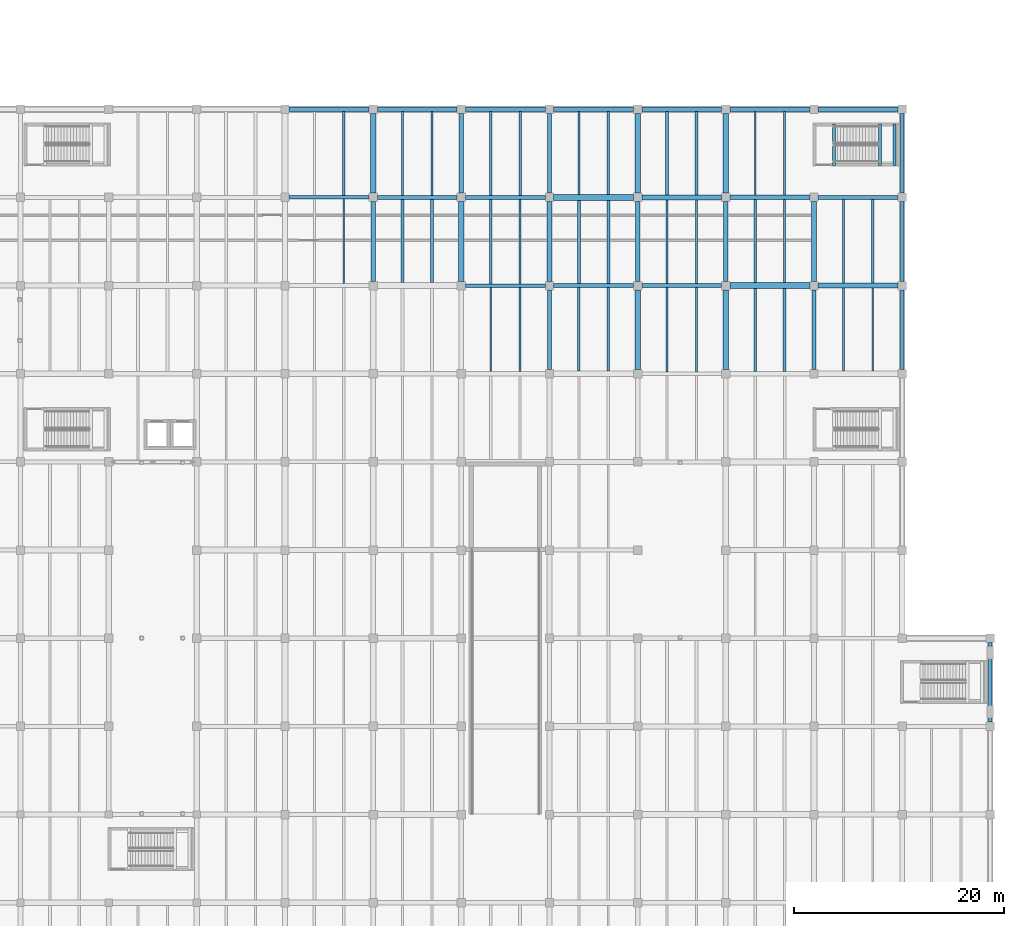
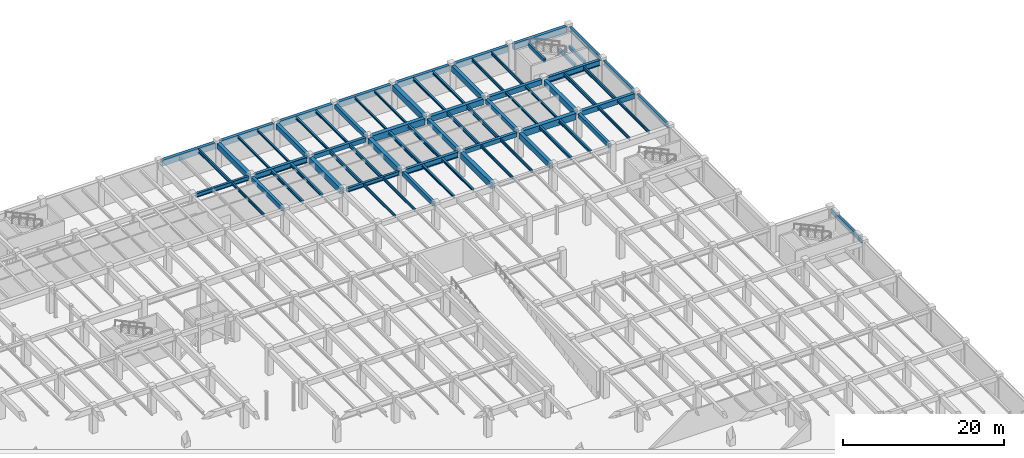
# One storey, part 26 of 63: 75 beams.
"""IFC4 building model written with IfcOpenShell, lengths in metres."""

from ifc_helpers import new_model, si_unit, direction, frame, origin, origin_2d, place, context, subcontext, project, spatial, rectangle, i_section, extrude, material, material_profile, profile_set, type_object, element, save


model = new_model("IFC4")

# Units and contexts
model_context = context("Model", 3, precision=1e-05, world=origin(), true_north=direction((0.0, 1.0)))
body_context = subcontext(model_context, "Body", "Model", "MODEL_VIEW")
ifc_project = project(units=[si_unit("LENGTHUNIT", "METRE"), si_unit("AREAUNIT", "SQUARE_METRE"), si_unit("VOLUMEUNIT", "CUBIC_METRE"), si_unit("PLANEANGLEUNIT", "RADIAN"), si_unit("MASSUNIT", "GRAM", prefix="KILO")], contexts=[model_context])

# Site, building, storey
site_placement = place(None, origin())
site = spatial("IfcSite", under=ifc_project, at=site_placement, CompositionType="ELEMENT")
building_placement = place(site_placement, origin())
building = spatial("IfcBuilding", under=site, at=building_placement, Name="Cumbredor Promenade Congress Hotel", CompositionType="ELEMENT")
storey_placement = place(building_placement, frame((0.0, 0.0, -4.199951171875)))
storey = spatial("IfcBuildingStorey", under=building, at=storey_placement, Name="B01", CompositionType="ELEMENT", Elevation=-4.199951171875)

# Beams
ifc_material_1 = material(Name="Concrete C40/50", Category="concrete")
ifc_material_profile_1 = material_profile(ifc_material_1, rectangle(XDim=0.39990234375, YDim=0.64990234375, at=origin_2d()), Name="RC BEAM 400x650")
ifc_profile_set_1 = profile_set([ifc_material_profile_1], Name="Concrete C40/50")
beam_type_1 = type_object("IfcBeamType", Name="BM-RC-400x650", PredefinedType="BEAM", material=ifc_profile_set_1)
beam_1_placement = place(storey_placement, frame((126.0, 101.199951171875, 3.52490234375), z_axis=(0.0, 1.0, 0.0), x_axis=(-1.0, 0.0, 0.0)))
element("IfcBeam", 1, at=beam_1_placement, inside=storey, type_object=beam_type_1, Name="L00 Y-Grid Beam 379", PredefinedType="BEAM", context=body_context, shape_type="SweptSolid", body=[
    extrude(rectangle(XDim=0.39990234375, YDim=0.64990234375, at=origin_2d()), origin(), (0.0, 0.0, 1.0), 7.60009765625),
])
for number, where, z_axis, x_axis, name in (
    (2, (134.800048828125, 109.199951171875, 3.52490234375), (1.0, 0.0, 0.0), (0.0, 1.0, 0.0), "L00 X-Grid Beam 403"),
    (3, (142.800048828125, 92.800048828125, 3.52490234375), (0.0, 1.0, 0.0), (-1.0, 0.0, 0.0), "L00 Y-Grid Beam 427"),
    (4, (142.800048828125, 109.60009765625, 3.52490234375), (0.0, 1.0, 0.0), (-1.0, 0.0, 0.0), "L00 Y-Grid Beam 431"),
    (5, (151.60009765625, 100.800048828125, 3.52490234375), (1.0, 0.0, 0.0), (0.0, 1.0, 0.0), "L00 X-Grid Beam 451"),
):
    element("IfcBeam", number, at=place(storey_placement, frame(where, z_axis=z_axis, x_axis=x_axis)), inside=storey, type_object=beam_type_1, Name=name, PredefinedType="BEAM", context=body_context, shape_type="SweptSolid", body=[
        extrude(rectangle(XDim=0.39990234375, YDim=0.64990234375, at=origin_2d()), origin(), (0.0, 0.0, 1.0), 7.599853515625),
    ])
beam_2_placement = place(storey_placement, frame((159.60009765625, 101.199951171875, 3.52490234375), z_axis=(0.0, 1.0, 0.0), x_axis=(-1.0, 0.0, 0.0)))
element("IfcBeam", 6, at=beam_2_placement, inside=storey, type_object=beam_type_1, Name="L00 Y-Grid Beam 479", PredefinedType="BEAM", context=body_context, shape_type="SweptSolid", body=[
    extrude(rectangle(XDim=0.39990234375, YDim=0.64990234375, at=origin_2d()), origin(), (0.0, 0.0, 1.0), 7.60009765625),
])
beam_3_placement = place(storey_placement, frame((168.0, 92.800048828125, 3.52490234375), z_axis=(0.0, 1.0, 0.0), x_axis=(-1.0, 0.0, 0.0)))
element("IfcBeam", 7, at=beam_3_placement, inside=storey, type_object=beam_type_1, Name="L00 Y-Grid Beam 503", PredefinedType="BEAM", context=body_context, shape_type="SweptSolid", body=[
    extrude(rectangle(XDim=0.39990234375, YDim=0.64990234375, at=origin_2d()), origin(), (0.0, 0.0, 1.0), 7.599853515625),
])
ifc_material_profile_2 = material_profile(ifc_material_1, rectangle(XDim=0.449951171875, YDim=0.75, at=origin_2d()), Name="RC BEAM 450x750")
ifc_profile_set_2 = profile_set([ifc_material_profile_2], Name="Concrete C40/50")
beam_type_2 = type_object("IfcBeamType", Name="BM-RC-450x750", PredefinedType="BEAM", material=ifc_profile_set_2)
beam_4_placement = place(storey_placement, frame((134.39990234375, 109.60009765625, 3.474853515625), z_axis=(0.0, 1.0, 0.0), x_axis=(-1.0, 0.0, 0.0)))
element("IfcBeam", 8, at=beam_4_placement, inside=storey, type_object=beam_type_2, Name="L00 Y-Grid Beam 404", PredefinedType="BEAM", context=body_context, shape_type="SweptSolid", body=[
    extrude(rectangle(XDim=0.449951171875, YDim=0.75, at=origin_2d()), origin(), (0.0, 0.0, 1.0), 7.599853515625),
])
for number, where, z_axis, x_axis, name in (
    (9, (151.199951171875, 101.199951171875, 3.474853515625), (0.0, 1.0, 0.0), (-1.0, 0.0, 0.0), "L00 Y-Grid Beam 452"),
    (10, (160.0, 109.199951171875, 3.474853515625), (1.0, 0.0, 0.0), (0.0, 1.0, 0.0), "L00 X-Grid Beam 480"),
    (11, (168.39990234375, 100.800048828125, 3.474853515625), (1.0, 0.0, 0.0), (0.0, 1.0, 0.0), "L00 X-Grid Beam 504"),
):
    element("IfcBeam", number, at=place(storey_placement, frame(where, z_axis=z_axis, x_axis=x_axis)), inside=storey, type_object=beam_type_2, Name=name, PredefinedType="BEAM", context=body_context, shape_type="SweptSolid", body=[
        extrude(rectangle(XDim=0.449951171875, YDim=0.75, at=origin_2d()), origin(), (0.0, 0.0, 1.0), 7.60009765625),
    ])
ifc_material_profile_3 = material_profile(ifc_material_1, rectangle(XDim=0.5, YDim=0.85009765625, at=origin_2d()), Name="RC BEAM 500x850")
ifc_profile_set_3 = profile_set([ifc_material_profile_3], Name="Concrete C40/50")
beam_type_3 = type_object("IfcBeamType", Name="BM-RC-500x850", PredefinedType="BEAM", material=ifc_profile_set_3)
beam_5_placement = place(storey_placement, frame((126.0, 109.60009765625, 3.425048828125), z_axis=(0.0, 1.0, 0.0), x_axis=(-1.0, 0.0, 0.0)))
element("IfcBeam", 12, at=beam_5_placement, inside=storey, type_object=beam_type_3, Name="L00 Y-Grid Beam 381", PredefinedType="BEAM", context=body_context, shape_type="SweptSolid", body=[
    extrude(rectangle(XDim=0.5, YDim=0.85009765625, at=origin_2d()), origin(), (0.0, 0.0, 1.0), 7.599853515625),
])
beam_6_placement = place(storey_placement, frame((142.800048828125, 101.199951171875, 3.425048828125), z_axis=(0.0, 1.0, 0.0), x_axis=(-1.0, 0.0, 0.0)))
element("IfcBeam", 13, at=beam_6_placement, inside=storey, type_object=beam_type_3, Name="L00 Y-Grid Beam 429", PredefinedType="BEAM", context=body_context, shape_type="SweptSolid", body=[
    extrude(rectangle(XDim=0.5, YDim=0.85009765625, at=origin_2d()), origin(), (0.0, 0.0, 1.0), 7.60009765625),
])
for number, where, z_axis, x_axis, name in (
    (14, (151.60009765625, 109.199951171875, 3.425048828125), (1.0, 0.0, 0.0), (0.0, 1.0, 0.0), "L00 X-Grid Beam 453"),
    (15, (159.60009765625, 92.800048828125, 3.425048828125), (0.0, 1.0, 0.0), (-1.0, 0.0, 0.0), "L00 Y-Grid Beam 477"),
    (16, (159.60009765625, 109.60009765625, 3.425048828125), (0.0, 1.0, 0.0), (-1.0, 0.0, 0.0), "L00 Y-Grid Beam 481"),
):
    element("IfcBeam", number, at=place(storey_placement, frame(where, z_axis=z_axis, x_axis=x_axis)), inside=storey, type_object=beam_type_3, Name=name, PredefinedType="BEAM", context=body_context, shape_type="SweptSolid", body=[
        extrude(rectangle(XDim=0.5, YDim=0.85009765625, at=origin_2d()), origin(), (0.0, 0.0, 1.0), 7.599853515625),
    ])
beam_7_placement = place(storey_placement, frame((168.0, 101.199951171875, 3.425048828125), z_axis=(0.0, 1.0, 0.0), x_axis=(-1.0, 0.0, 0.0)))
element("IfcBeam", 17, at=beam_7_placement, inside=storey, type_object=beam_type_3, Name="L00 Y-Grid Beam 505", PredefinedType="BEAM", context=body_context, shape_type="SweptSolid", body=[
    extrude(rectangle(XDim=0.5, YDim=0.85009765625, at=origin_2d()), origin(), (0.0, 0.0, 1.0), 7.60009765625),
])
ifc_material_profile_4 = material_profile(ifc_material_1, rectangle(XDim=0.550048828125, YDim=0.949951171875, at=origin_2d()), Name="RC BEAM 550x950")
ifc_profile_set_4 = profile_set([ifc_material_profile_4], Name="Concrete C40/50")
beam_type_4 = type_object("IfcBeamType", Name="BM-RC-550x950", PredefinedType="BEAM", material=ifc_profile_set_4)
for number, where, z_axis, x_axis, name in (
    (18, (134.39990234375, 101.199951171875, 3.375), (0.0, 1.0, 0.0), (-1.0, 0.0, 0.0), "L00 Y-Grid Beam 402"),
    (19, (143.199951171875, 109.199951171875, 3.375), (1.0, 0.0, 0.0), (0.0, 1.0, 0.0), "L00 X-Grid Beam 430"),
):
    element("IfcBeam", number, at=place(storey_placement, frame(where, z_axis=z_axis, x_axis=x_axis)), inside=storey, type_object=beam_type_4, Name=name, PredefinedType="BEAM", context=body_context, shape_type="SweptSolid", body=[
        extrude(rectangle(XDim=0.550048828125, YDim=0.949951171875, at=origin_2d()), origin(), (0.0, 0.0, 1.0), 7.60009765625),
    ])
for number, where, z_axis, x_axis, name in (
    (20, (151.199951171875, 92.800048828125, 3.375), (0.0, 1.0, 0.0), (-1.0, 0.0, 0.0), "L00 Y-Grid Beam 450"),
    (21, (151.199951171875, 109.60009765625, 3.375), (0.0, 1.0, 0.0), (-1.0, 0.0, 0.0), "L00 Y-Grid Beam 454"),
):
    element("IfcBeam", number, at=place(storey_placement, frame(where, z_axis=z_axis, x_axis=x_axis)), inside=storey, type_object=beam_type_4, Name=name, PredefinedType="BEAM", context=body_context, shape_type="SweptSolid", body=[
        extrude(rectangle(XDim=0.550048828125, YDim=0.949951171875, at=origin_2d()), origin(), (0.0, 0.0, 1.0), 7.599853515625),
    ])
beam_8_placement = place(storey_placement, frame((160.0, 100.800048828125, 3.375), z_axis=(1.0, 0.0, 0.0), x_axis=(0.0, 1.0, 0.0)))
element("IfcBeam", 22, at=beam_8_placement, inside=storey, type_object=beam_type_4, Name="L00 X-Grid Beam 478", PredefinedType="BEAM", context=body_context, shape_type="SweptSolid", body=[
    extrude(rectangle(XDim=0.550048828125, YDim=0.949951171875, at=origin_2d()), origin(), (0.0, 0.0, 1.0), 7.60009765625),
])
ifc_material_2 = material(Name="Steel ASTM A992 Grade 50", Category="steel")
ifc_material_profile_5 = material_profile(ifc_material_2, i_section(OverallWidth=0.323974609375, OverallDepth=0.611083984375, WebThickness=0.0126953125, FlangeThickness=0.01904296875, at=origin_2d()), Name="W24X104")
ifc_profile_set_5 = profile_set([ifc_material_profile_5], Name="Steel ASTM A992 Grade 50")
beam_type_5 = type_object("IfcBeamType", Name="BM-W24X104", PredefinedType="BEAM", material=ifc_profile_set_5)
beam_9_placement = place(storey_placement, frame((118.0, 109.199951171875, 3.54443359375), z_axis=(1.0, 0.0, 0.0), x_axis=(0.0, 1.0, 0.0)))
element("IfcBeam", 23, at=beam_9_placement, inside=storey, type_object=beam_type_5, Name="L00 X-Grid Beam 353", PredefinedType="BEAM", context=body_context, shape_type="SweptSolid", body=[
    extrude(i_section(OverallWidth=0.323974609375, OverallDepth=0.611083984375, WebThickness=0.0126953125, FlangeThickness=0.01904296875, at=origin_2d()), origin(), (0.0, 0.0, 1.0), 7.60009765625),
])
beam_10_placement = place(storey_placement, frame((134.800048828125, 100.800048828125, 3.54443359375), z_axis=(1.0, 0.0, 0.0), x_axis=(0.0, 1.0, 0.0)))
element("IfcBeam", 24, at=beam_10_placement, inside=storey, type_object=beam_type_5, Name="L00 X-Grid Beam 401", PredefinedType="BEAM", context=body_context, shape_type="SweptSolid", body=[
    extrude(i_section(OverallWidth=0.323974609375, OverallDepth=0.611083984375, WebThickness=0.0126953125, FlangeThickness=0.01904296875, at=origin_2d()), origin(), (0.0, 0.0, 1.0), 7.599853515625),
])
ifc_material_profile_6 = material_profile(ifc_material_2, i_section(OverallWidth=0.39990234375, OverallDepth=0.85498046875, WebThickness=0.018310546875, FlangeThickness=0.029296875, at=origin_2d()), Name="W33X201")
ifc_profile_set_6 = profile_set([ifc_material_profile_6], Name="Steel ASTM A992 Grade 50")
beam_type_6 = type_object("IfcBeamType", Name="BM-W33X201", PredefinedType="BEAM", material=ifc_profile_set_6)
for number, where, z_axis, x_axis, name in (
    (25, (126.39990234375, 109.199951171875, 3.42236328125), (1.0, 0.0, 0.0), (0.0, 1.0, 0.0), "L00 X-Grid Beam 380"),
    (26, (143.199951171875, 100.800048828125, 3.42236328125), (1.0, 0.0, 0.0), (0.0, 1.0, 0.0), "L00 X-Grid Beam 428"),
    (27, (168.39990234375, 109.199951171875, 3.42236328125), (1.0, 0.0, 0.0), (0.0, 1.0, 0.0), "L00 X-Grid Beam 506"),
):
    element("IfcBeam", number, at=place(storey_placement, frame(where, z_axis=z_axis, x_axis=x_axis)), inside=storey, type_object=beam_type_6, Name=name, PredefinedType="BEAM", context=body_context, shape_type="SweptSolid", body=[
        extrude(i_section(OverallWidth=0.39990234375, OverallDepth=0.85498046875, WebThickness=0.018310546875, FlangeThickness=0.029296875, at=origin_2d()), origin(), (0.0, 0.0, 1.0), 7.60009765625),
    ])
ifc_material_profile_7 = material_profile(ifc_material_2, i_section(OverallWidth=0.202880859375, OverallDepth=0.302978515625, WebThickness=0.007568359375, FlangeThickness=0.01318359375, at=origin_2d()), Name="W12X40")
ifc_profile_set_7 = profile_set([ifc_material_profile_7], Name="Steel ASTM A992 Grade 50")
beam_type_7 = type_object("IfcBeamType", Name="JST-W12X40", PredefinedType="JOIST", material=ifc_profile_set_7)
for number, where, z_axis, x_axis, name in (
    (28, (128.800048828125, 109.39990234375, 3.698486328125), (0.0, 1.0, 0.0), (-1.0, 0.0, 0.0), "L00 Secondary Floor Joist 0329"),
    (29, (131.60009765625, 109.39990234375, 3.698486328125), (0.0, 1.0, 0.0), (-1.0, 0.0, 0.0), "L00 Secondary Floor Joist 0330"),
):
    element("IfcBeam", number, at=place(storey_placement, frame(where, z_axis=z_axis, x_axis=x_axis)), inside=storey, type_object=beam_type_7, Name=name, PredefinedType="JOIST", context=body_context, shape_type="SweptSolid", body=[
        extrude(i_section(OverallWidth=0.202880859375, OverallDepth=0.302978515625, WebThickness=0.007568359375, FlangeThickness=0.01318359375, at=origin_2d()), origin(), (0.0, 0.0, 1.0), 7.97509765625),
    ])
for number, where, z_axis, x_axis, name in (
    (30, (145.60009765625, 109.47509765625, 3.698486328125), (0.0, 1.0, 0.0), (-1.0, 0.0, 0.0), "L00 Secondary Floor Joist 0369"),
    (31, (148.39990234375, 109.47509765625, 3.698486328125), (0.0, 1.0, 0.0), (-1.0, 0.0, 0.0), "L00 Secondary Floor Joist 0370"),
):
    element("IfcBeam", number, at=place(storey_placement, frame(where, z_axis=z_axis, x_axis=x_axis)), inside=storey, type_object=beam_type_7, Name=name, PredefinedType="JOIST", context=body_context, shape_type="SweptSolid", body=[
        extrude(i_section(OverallWidth=0.202880859375, OverallDepth=0.302978515625, WebThickness=0.007568359375, FlangeThickness=0.01318359375, at=origin_2d()), origin(), (0.0, 0.0, 1.0), 7.89990234375),
    ])
for number, where, z_axis, x_axis, name in (
    (32, (162.39990234375, 101.074951171875, 3.698486328125), (0.0, 1.0, 0.0), (-1.0, 0.0, 0.0), "L00 Secondary Floor Joist 0414"),
    (33, (165.199951171875, 101.074951171875, 3.698486328125), (0.0, 1.0, 0.0), (-1.0, 0.0, 0.0), "L00 Secondary Floor Joist 0415"),
):
    element("IfcBeam", number, at=place(storey_placement, frame(where, z_axis=z_axis, x_axis=x_axis)), inside=storey, type_object=beam_type_7, Name=name, PredefinedType="JOIST", context=body_context, shape_type="SweptSolid", body=[
        extrude(i_section(OverallWidth=0.202880859375, OverallDepth=0.302978515625, WebThickness=0.007568359375, FlangeThickness=0.01318359375, at=origin_2d()), origin(), (0.0, 0.0, 1.0), 7.900146484375),
    ])
ifc_material_profile_8 = material_profile(ifc_material_2, i_section(OverallWidth=0.2548828125, OverallDepth=0.35693359375, WebThickness=0.010498046875, FlangeThickness=0.018310546875, at=origin_2d()), Name="W14X68")
ifc_profile_set_8 = profile_set([ifc_material_profile_8], Name="Steel ASTM A992 Grade 50")
beam_type_8 = type_object("IfcBeamType", Name="JST-W14X68", PredefinedType="JOIST", material=ifc_profile_set_8)
for number, where, z_axis, x_axis, name in (
    (34, (137.199951171875, 109.39990234375, 3.67138671875), (0.0, 1.0, 0.0), (-1.0, 0.0, 0.0), "L00 Secondary Floor Joist 0345"),
    (35, (140.0, 109.39990234375, 3.67138671875), (0.0, 1.0, 0.0), (-1.0, 0.0, 0.0), "L00 Secondary Floor Joist 0346"),
):
    element("IfcBeam", number, at=place(storey_placement, frame(where, z_axis=z_axis, x_axis=x_axis)), inside=storey, type_object=beam_type_8, Name=name, PredefinedType="JOIST", context=body_context, shape_type="SweptSolid", body=[
        extrude(i_section(OverallWidth=0.2548828125, OverallDepth=0.35693359375, WebThickness=0.010498046875, FlangeThickness=0.018310546875, at=origin_2d()), origin(), (0.0, 0.0, 1.0), 7.97509765625),
    ])
for number, where, z_axis, x_axis, name in (
    (36, (145.60009765625, 92.675048828125, 3.67138671875), (0.0, 1.0, 0.0), (-1.0, 0.0, 0.0), "L00 Secondary Floor Joist 0365"),
    (37, (148.39990234375, 92.675048828125, 3.67138671875), (0.0, 1.0, 0.0), (-1.0, 0.0, 0.0), "L00 Secondary Floor Joist 0366"),
    (38, (154.0, 109.449951171875, 3.67138671875), (0.0, 1.0, 0.0), (-1.0, 0.0, 0.0), "L00 Secondary Floor Joist 0390"),
    (39, (156.800048828125, 109.449951171875, 3.67138671875), (0.0, 1.0, 0.0), (-1.0, 0.0, 0.0), "L00 Secondary Floor Joist 0391"),
):
    element("IfcBeam", number, at=place(storey_placement, frame(where, z_axis=z_axis, x_axis=x_axis)), inside=storey, type_object=beam_type_8, Name=name, PredefinedType="JOIST", context=body_context, shape_type="SweptSolid", body=[
        extrude(i_section(OverallWidth=0.2548828125, OverallDepth=0.35693359375, WebThickness=0.010498046875, FlangeThickness=0.018310546875, at=origin_2d()), origin(), (0.0, 0.0, 1.0), 7.925048828125),
    ])
ifc_material_profile_9 = material_profile(ifc_material_2, i_section(OverallWidth=0.180908203125, OverallDepth=0.4169921875, WebThickness=0.010986328125, FlangeThickness=0.018310546875, at=origin_2d()), Name="W16X57")
ifc_profile_set_9 = profile_set([ifc_material_profile_9], Name="Steel ASTM A992 Grade 50")
beam_type_9 = type_object("IfcBeamType", Name="JST-W16X57", PredefinedType="JOIST", material=ifc_profile_set_9)
beam_11_placement = place(storey_placement, frame((123.199951171875, 101.0, 3.641357421875), z_axis=(0.0, 1.0, 0.0), x_axis=(-1.0, 0.0, 0.0)))
element("IfcBeam", 40, at=beam_11_placement, inside=storey, type_object=beam_type_9, Name="L00 Secondary Floor Joist 0302", PredefinedType="JOIST", context=body_context, shape_type="SweptSolid", body=[
    extrude(i_section(OverallWidth=0.180908203125, OverallDepth=0.4169921875, WebThickness=0.010986328125, FlangeThickness=0.018310546875, at=origin_2d()), origin(), (0.0, 0.0, 1.0), 8.0380859375),
])
for number, where, z_axis, x_axis, name in (
    (41, (137.199951171875, 92.60009765625, 3.641357421875), (0.0, 1.0, 0.0), (-1.0, 0.0, 0.0), "L00 Secondary Floor Joist 0341"),
    (42, (140.0, 92.60009765625, 3.641357421875), (0.0, 1.0, 0.0), (-1.0, 0.0, 0.0), "L00 Secondary Floor Joist 0342"),
):
    element("IfcBeam", number, at=place(storey_placement, frame(where, z_axis=z_axis, x_axis=x_axis)), inside=storey, type_object=beam_type_9, Name=name, PredefinedType="JOIST", context=body_context, shape_type="SweptSolid", body=[
        extrude(i_section(OverallWidth=0.180908203125, OverallDepth=0.4169921875, WebThickness=0.010986328125, FlangeThickness=0.018310546875, at=origin_2d()), origin(), (0.0, 0.0, 1.0), 8.037841796875),
    ])
for number, where, z_axis, x_axis, name in (
    (43, (154.0, 92.56201171875, 3.641357421875), (0.0, 1.0, 0.0), (-1.0, 0.0, 0.0), "L00 Secondary Floor Joist 0386"),
    (44, (156.800048828125, 92.56201171875, 3.641357421875), (0.0, 1.0, 0.0), (-1.0, 0.0, 0.0), "L00 Secondary Floor Joist 0387"),
):
    element("IfcBeam", number, at=place(storey_placement, frame(where, z_axis=z_axis, x_axis=x_axis)), inside=storey, type_object=beam_type_9, Name=name, PredefinedType="JOIST", context=body_context, shape_type="SweptSolid", body=[
        extrude(i_section(OverallWidth=0.180908203125, OverallDepth=0.4169921875, WebThickness=0.010986328125, FlangeThickness=0.018310546875, at=origin_2d()), origin(), (0.0, 0.0, 1.0), 8.0380859375),
    ])
for number, where, z_axis, x_axis, name in (
    (45, (162.39990234375, 109.425048828125, 3.641357421875), (0.0, 1.0, 0.0), (-1.0, 0.0, 0.0), "L00 Secondary Floor Joist 0416"),
    (46, (165.199951171875, 109.425048828125, 3.641357421875), (0.0, 1.0, 0.0), (-1.0, 0.0, 0.0), "L00 Secondary Floor Joist 0417"),
):
    element("IfcBeam", number, at=place(storey_placement, frame(where, z_axis=z_axis, x_axis=x_axis)), inside=storey, type_object=beam_type_9, Name=name, PredefinedType="JOIST", context=body_context, shape_type="SweptSolid", body=[
        extrude(i_section(OverallWidth=0.180908203125, OverallDepth=0.4169921875, WebThickness=0.010986328125, FlangeThickness=0.018310546875, at=origin_2d()), origin(), (0.0, 0.0, 1.0), 7.949951171875),
    ])
for number, where, z_axis, x_axis, name in (
    (47, (170.800048828125, 92.675048828125, 3.641357421875), (0.0, 1.0, 0.0), (-1.0, 0.0, 0.0), "L00 Secondary Floor Joist 0436"),
    (48, (173.60009765625, 92.675048828125, 3.641357421875), (0.0, 1.0, 0.0), (-1.0, 0.0, 0.0), "L00 Secondary Floor Joist 0437"),
):
    element("IfcBeam", number, at=place(storey_placement, frame(where, z_axis=z_axis, x_axis=x_axis)), inside=storey, type_object=beam_type_9, Name=name, PredefinedType="JOIST", context=body_context, shape_type="SweptSolid", body=[
        extrude(i_section(OverallWidth=0.180908203125, OverallDepth=0.4169921875, WebThickness=0.010986328125, FlangeThickness=0.018310546875, at=origin_2d()), origin(), (0.0, 0.0, 1.0), 7.89990234375),
    ])
ifc_material_profile_10 = material_profile(ifc_material_2, i_section(OverallWidth=0.280029296875, OverallDepth=0.462890625, WebThickness=0.0107421875, FlangeThickness=0.017333984375, at=origin_2d()), Name="W18X76")
ifc_profile_set_10 = profile_set([ifc_material_profile_10], Name="Steel ASTM A992 Grade 50")
beam_type_10 = type_object("IfcBeamType", Name="JST-W18X76", PredefinedType="JOIST", material=ifc_profile_set_10)
for number, where, z_axis, x_axis, name in (
    (49, (128.800048828125, 101.074951171875, 3.618408203125), (0.0, 1.0, 0.0), (-1.0, 0.0, 0.0), "L00 Secondary Floor Joist 0327"),
    (50, (131.60009765625, 101.074951171875, 3.618408203125), (0.0, 1.0, 0.0), (-1.0, 0.0, 0.0), "L00 Secondary Floor Joist 0328"),
    (51, (145.60009765625, 101.0, 3.618408203125), (0.0, 1.0, 0.0), (-1.0, 0.0, 0.0), "L00 Secondary Floor Joist 0367"),
    (52, (148.39990234375, 101.0, 3.618408203125), (0.0, 1.0, 0.0), (-1.0, 0.0, 0.0), "L00 Secondary Floor Joist 0368"),
):
    element("IfcBeam", number, at=place(storey_placement, frame(where, z_axis=z_axis, x_axis=x_axis)), inside=storey, type_object=beam_type_10, Name=name, PredefinedType="JOIST", context=body_context, shape_type="SweptSolid", body=[
        extrude(i_section(OverallWidth=0.280029296875, OverallDepth=0.462890625, WebThickness=0.0107421875, FlangeThickness=0.017333984375, at=origin_2d()), origin(), (0.0, 0.0, 1.0), 7.925048828125),
    ])
for number, where, z_axis, x_axis, name in (
    (53, (162.39990234375, 92.60009765625, 3.618408203125), (0.0, 1.0, 0.0), (-1.0, 0.0, 0.0), "L00 Secondary Floor Joist 0412"),
    (54, (165.199951171875, 92.60009765625, 3.618408203125), (0.0, 1.0, 0.0), (-1.0, 0.0, 0.0), "L00 Secondary Floor Joist 0413"),
):
    element("IfcBeam", number, at=place(storey_placement, frame(where, z_axis=z_axis, x_axis=x_axis)), inside=storey, type_object=beam_type_10, Name=name, PredefinedType="JOIST", context=body_context, shape_type="SweptSolid", body=[
        extrude(i_section(OverallWidth=0.280029296875, OverallDepth=0.462890625, WebThickness=0.0107421875, FlangeThickness=0.017333984375, at=origin_2d()), origin(), (0.0, 0.0, 1.0), 7.9248046875),
    ])
ifc_material_profile_11 = material_profile(ifc_material_2, i_section(OverallWidth=0.214111328125, OverallDepth=0.549072265625, WebThickness=0.0146484375, FlangeThickness=0.023681640625, at=origin_2d()), Name="W21X93")
ifc_profile_set_11 = profile_set([ifc_material_profile_11], Name="Steel ASTM A992 Grade 50")
beam_type_11 = type_object("IfcBeamType", Name="JST-W21X93", PredefinedType="JOIST", material=ifc_profile_set_11)
beam_12_placement = place(storey_placement, frame((123.199951171875, 109.362060546875, 3.575439453125), z_axis=(0.0, 1.0, 0.0), x_axis=(-1.0, 0.0, 0.0)))
element("IfcBeam", 55, at=beam_12_placement, inside=storey, type_object=beam_type_11, Name="L00 Secondary Floor Joist 0304", PredefinedType="JOIST", context=body_context, shape_type="SweptSolid", body=[
    extrude(i_section(OverallWidth=0.214111328125, OverallDepth=0.549072265625, WebThickness=0.0146484375, FlangeThickness=0.023681640625, at=origin_2d()), origin(), (0.0, 0.0, 1.0), 8.012939453125),
])
for number, where, z_axis, x_axis, name in (
    (56, (137.199951171875, 100.9619140625, 3.575439453125), (0.0, 1.0, 0.0), (-1.0, 0.0, 0.0), "L00 Secondary Floor Joist 0343"),
    (57, (140.0, 100.9619140625, 3.575439453125), (0.0, 1.0, 0.0), (-1.0, 0.0, 0.0), "L00 Secondary Floor Joist 0344"),
):
    element("IfcBeam", number, at=place(storey_placement, frame(where, z_axis=z_axis, x_axis=x_axis)), inside=storey, type_object=beam_type_11, Name=name, PredefinedType="JOIST", context=body_context, shape_type="SweptSolid", body=[
        extrude(i_section(OverallWidth=0.214111328125, OverallDepth=0.549072265625, WebThickness=0.0146484375, FlangeThickness=0.023681640625, at=origin_2d()), origin(), (0.0, 0.0, 1.0), 8.0380859375),
    ])
for number, where, z_axis, x_axis, name in (
    (58, (154.0, 101.0, 3.575439453125), (0.0, 1.0, 0.0), (-1.0, 0.0, 0.0), "L00 Secondary Floor Joist 0388"),
    (59, (156.800048828125, 101.0, 3.575439453125), (0.0, 1.0, 0.0), (-1.0, 0.0, 0.0), "L00 Secondary Floor Joist 0389"),
):
    element("IfcBeam", number, at=place(storey_placement, frame(where, z_axis=z_axis, x_axis=x_axis)), inside=storey, type_object=beam_type_11, Name=name, PredefinedType="JOIST", context=body_context, shape_type="SweptSolid", body=[
        extrude(i_section(OverallWidth=0.214111328125, OverallDepth=0.549072265625, WebThickness=0.0146484375, FlangeThickness=0.023681640625, at=origin_2d()), origin(), (0.0, 0.0, 1.0), 7.949951171875),
    ])
for number, where, z_axis, x_axis, name in (
    (60, (170.800048828125, 101.02490234375, 3.575439453125), (0.0, 1.0, 0.0), (-1.0, 0.0, 0.0), "L00 Secondary Floor Joist 0438"),
    (61, (173.60009765625, 101.02490234375, 3.575439453125), (0.0, 1.0, 0.0), (-1.0, 0.0, 0.0), "L00 Secondary Floor Joist 0439"),
):
    element("IfcBeam", number, at=place(storey_placement, frame(where, z_axis=z_axis, x_axis=x_axis)), inside=storey, type_object=beam_type_11, Name=name, PredefinedType="JOIST", context=body_context, shape_type="SweptSolid", body=[
        extrude(i_section(OverallWidth=0.214111328125, OverallDepth=0.549072265625, WebThickness=0.0146484375, FlangeThickness=0.023681640625, at=origin_2d()), origin(), (0.0, 0.0, 1.0), 7.97509765625),
    ])
ifc_material_profile_12 = material_profile(ifc_material_1, rectangle(XDim=0.300048828125, YDim=0.5, at=origin_2d()), Name="RC LINTEL 300x500")
ifc_profile_set_12 = profile_set([ifc_material_profile_12], Name="Concrete C40/50")
beam_type_12 = type_object("IfcBeamType", Name="LN-RC-300x500", PredefinedType="LINTEL", material=ifc_profile_set_12)
for number, where, z_axis, x_axis, name in (
    (62, (175.669921875, 112.25, 1.64990234375), (0.0, 1.0, 0.0), (-1.0, 0.0, 0.0), "B01 Stair ST-16 Landing Ledger Beam E"),
    (63, (174.27001953125, 112.25, 1.64990234375), (0.0, 1.0, 0.0), (-1.0, 0.0, 0.0), "B01 Stair ST-16 Landing Ledger Beam W"),
    (64, (169.919921875, 112.25, 3.949951171875), (0.0, 1.0, 0.0), (-1.0, 0.0, 0.0), "L00 Stair ST-16 Well Header Trimmer Beam"),
):
    element("IfcBeam", number, at=place(storey_placement, frame(where, z_axis=z_axis, x_axis=x_axis)), inside=storey, type_object=beam_type_12, Name=name, PredefinedType="LINTEL", context=body_context, shape_type="SweptSolid", body=[
        extrude(rectangle(XDim=0.300048828125, YDim=0.5, at=origin_2d()), origin(), (0.0, 0.0, 1.0), 3.949951171875),
    ])
ifc_material_profile_13 = material_profile(ifc_material_1, rectangle(XDim=0.449951171875, YDim=0.89990234375, at=origin_2d()), Name="RC SPANDREL 450x900")
ifc_profile_set_13 = profile_set([ifc_material_profile_13], Name="Concrete C40/50")
beam_type_13 = type_object("IfcBeamType", Name="SP-RC-450x900", PredefinedType="SPANDREL", material=ifc_profile_set_13)
for number, where, z_axis, x_axis, name in (
    (65, (118.0, 117.60009765625, 3.39990234375), (1.0, 0.0, 0.0), (0.0, 1.0, 0.0), "L00 X-Grid Beam 355"),
    (66, (126.39990234375, 117.60009765625, 3.39990234375), (1.0, 0.0, 0.0), (0.0, 1.0, 0.0), "L00 X-Grid Beam 382"),
):
    element("IfcBeam", number, at=place(storey_placement, frame(where, z_axis=z_axis, x_axis=x_axis)), inside=storey, type_object=beam_type_13, Name=name, PredefinedType="SPANDREL", context=body_context, shape_type="SweptSolid", body=[
        extrude(rectangle(XDim=0.449951171875, YDim=0.89990234375, at=origin_2d()), origin(), (0.0, 0.0, 1.0), 7.60009765625),
    ])
beam_13_placement = place(storey_placement, frame((134.800048828125, 117.60009765625, 3.39990234375), z_axis=(1.0, 0.0, 0.0), x_axis=(0.0, 1.0, 0.0)))
element("IfcBeam", 67, at=beam_13_placement, inside=storey, type_object=beam_type_13, Name="L00 X-Grid Beam 405", PredefinedType="SPANDREL", context=body_context, shape_type="SweptSolid", body=[
    extrude(rectangle(XDim=0.449951171875, YDim=0.89990234375, at=origin_2d()), origin(), (0.0, 0.0, 1.0), 7.599853515625),
])
beam_14_placement = place(storey_placement, frame((143.199951171875, 117.60009765625, 3.39990234375), z_axis=(1.0, 0.0, 0.0), x_axis=(0.0, 1.0, 0.0)))
element("IfcBeam", 68, at=beam_14_placement, inside=storey, type_object=beam_type_13, Name="L00 X-Grid Beam 432", PredefinedType="SPANDREL", context=body_context, shape_type="SweptSolid", body=[
    extrude(rectangle(XDim=0.449951171875, YDim=0.89990234375, at=origin_2d()), origin(), (0.0, 0.0, 1.0), 7.60009765625),
])
beam_15_placement = place(storey_placement, frame((151.60009765625, 117.60009765625, 3.39990234375), z_axis=(1.0, 0.0, 0.0), x_axis=(0.0, 1.0, 0.0)))
element("IfcBeam", 69, at=beam_15_placement, inside=storey, type_object=beam_type_13, Name="L00 X-Grid Beam 455", PredefinedType="SPANDREL", context=body_context, shape_type="SweptSolid", body=[
    extrude(rectangle(XDim=0.449951171875, YDim=0.89990234375, at=origin_2d()), origin(), (0.0, 0.0, 1.0), 7.599853515625),
])
for number, where, z_axis, x_axis, name in (
    (70, (160.0, 117.60009765625, 3.39990234375), (1.0, 0.0, 0.0), (0.0, 1.0, 0.0), "L00 X-Grid Beam 482"),
    (71, (168.39990234375, 117.60009765625, 3.39990234375), (1.0, 0.0, 0.0), (0.0, 1.0, 0.0), "L00 X-Grid Beam 507"),
):
    element("IfcBeam", number, at=place(storey_placement, frame(where, z_axis=z_axis, x_axis=x_axis)), inside=storey, type_object=beam_type_13, Name=name, PredefinedType="SPANDREL", context=body_context, shape_type="SweptSolid", body=[
        extrude(rectangle(XDim=0.449951171875, YDim=0.89990234375, at=origin_2d()), origin(), (0.0, 0.0, 1.0), 7.60009765625),
    ])
ifc_material_profile_14 = material_profile(ifc_material_2, i_section(OverallWidth=0.323974609375, OverallDepth=0.611083984375, WebThickness=0.0126953125, FlangeThickness=0.01904296875, at=origin_2d()), Name="W24X104")
ifc_profile_set_14 = profile_set([ifc_material_profile_14], Name="Steel ASTM A992 Grade 50")
beam_type_14 = type_object("IfcBeamType", Name="SP-W24X104", PredefinedType="SPANDREL", material=ifc_profile_set_14)
beam_16_placement = place(storey_placement, frame((176.39990234375, 92.800048828125, 3.54443359375), z_axis=(0.0, 1.0, 0.0), x_axis=(-1.0, 0.0, 0.0)))
element("IfcBeam", 72, at=beam_16_placement, inside=storey, type_object=beam_type_14, Name="L00 Y-Grid Beam 524", PredefinedType="SPANDREL", context=body_context, shape_type="SweptSolid", body=[
    extrude(i_section(OverallWidth=0.323974609375, OverallDepth=0.611083984375, WebThickness=0.0126953125, FlangeThickness=0.01904296875, at=origin_2d()), origin(), (0.0, 0.0, 1.0), 7.599853515625),
])
beam_17_placement = place(storey_placement, frame((176.39990234375, 101.199951171875, 3.54443359375), z_axis=(0.0, 1.0, 0.0), x_axis=(-1.0, 0.0, 0.0)))
element("IfcBeam", 73, at=beam_17_placement, inside=storey, type_object=beam_type_14, Name="L00 Y-Grid Beam 525", PredefinedType="SPANDREL", context=body_context, shape_type="SweptSolid", body=[
    extrude(i_section(OverallWidth=0.323974609375, OverallDepth=0.611083984375, WebThickness=0.0126953125, FlangeThickness=0.01904296875, at=origin_2d()), origin(), (0.0, 0.0, 1.0), 7.60009765625),
])
beam_18_placement = place(storey_placement, frame((176.39990234375, 109.60009765625, 3.54443359375), z_axis=(0.0, 1.0, 0.0), x_axis=(-1.0, 0.0, 0.0)))
element("IfcBeam", 74, at=beam_18_placement, inside=storey, type_object=beam_type_14, Name="L00 Y-Grid Beam 526", PredefinedType="SPANDREL", context=body_context, shape_type="SweptSolid", body=[
    extrude(i_section(OverallWidth=0.323974609375, OverallDepth=0.611083984375, WebThickness=0.0126953125, FlangeThickness=0.01904296875, at=origin_2d()), origin(), (0.0, 0.0, 1.0), 7.599853515625),
])
beam_19_placement = place(storey_placement, frame((184.800048828125, 59.199951171875, 3.54443359375), z_axis=(0.0, 1.0, 0.0), x_axis=(-1.0, 0.0, 0.0)))
element("IfcBeam", 75, at=beam_19_placement, inside=storey, type_object=beam_type_14, Name="L00 Y-Grid Beam 533", PredefinedType="SPANDREL", context=body_context, shape_type="SweptSolid", body=[
    extrude(i_section(OverallWidth=0.323974609375, OverallDepth=0.611083984375, WebThickness=0.0126953125, FlangeThickness=0.01904296875, at=origin_2d()), origin(), (0.0, 0.0, 1.0), 7.60009765625),
])

save(model, "model.ifc")
